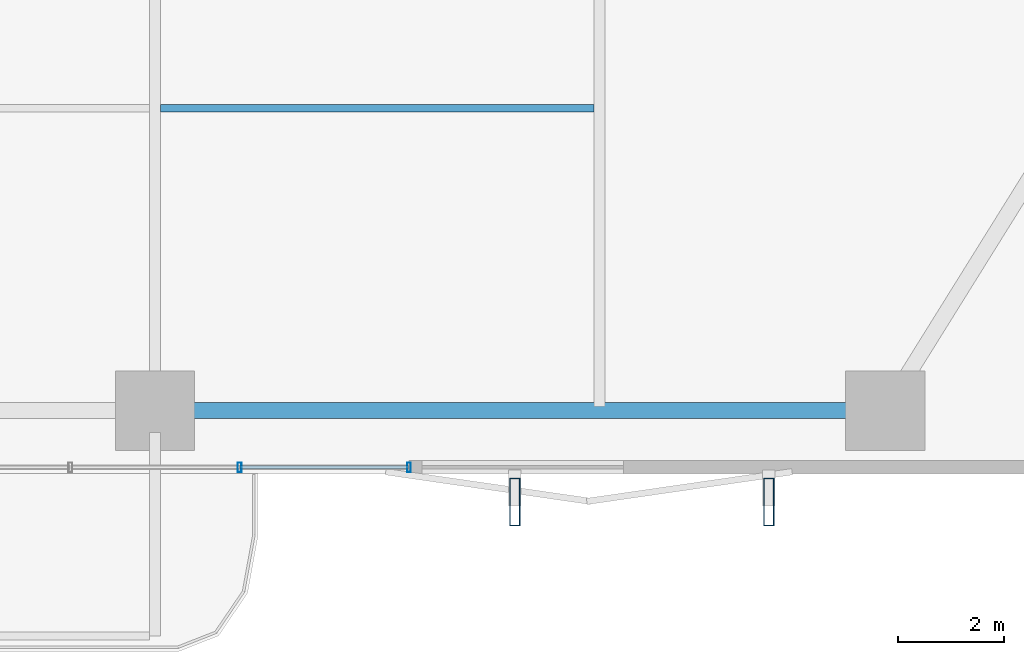
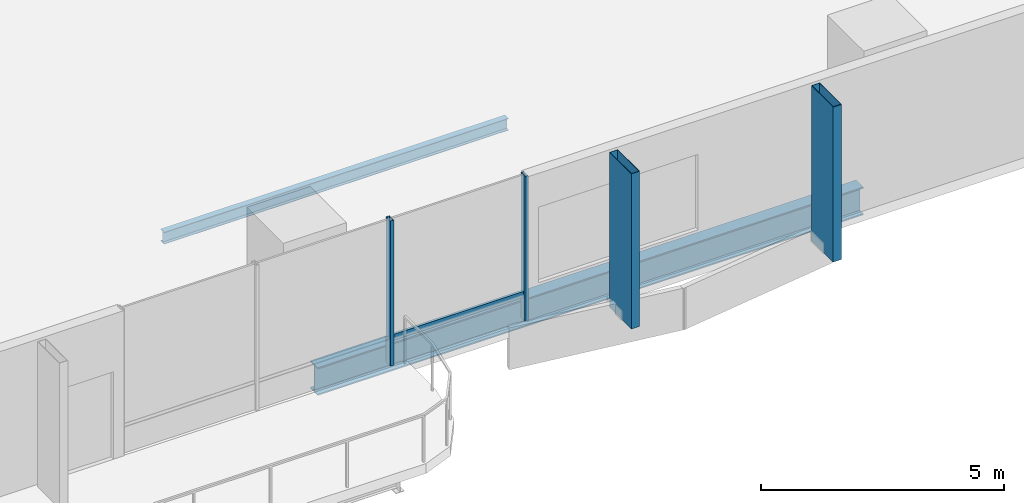
# One storey, part 6 of 23: 5 members, 2 beams, 1 element without a shape of its own.
"""IFC4 building model written with IfcOpenShell, lengths in metres."""

from ifc_helpers import new_model, si_unit, direction, frame, origin, origin_2d, place, context, subcontext, project, spatial, hollow_rectangle, i_section, extrude, material, layer, layer_set, material_profile, profile_set, type_object, element, aggregate, save


model = new_model("IFC4")

# Units and contexts
model_context = context("Model", 3, precision=1e-05, world=origin(), true_north=direction((0.0, 1.0)))
body_context = subcontext(model_context, "Body", "Model", "MODEL_VIEW")
ifc_project = project(units=[si_unit("LENGTHUNIT", "METRE"), si_unit("AREAUNIT", "SQUARE_METRE"), si_unit("VOLUMEUNIT", "CUBIC_METRE"), si_unit("PLANEANGLEUNIT", "RADIAN"), si_unit("MASSUNIT", "GRAM", prefix="KILO")], contexts=[model_context])

# Site, building, storey
site_placement = place(None, origin())
site = spatial("IfcSite", under=ifc_project, at=site_placement, CompositionType="ELEMENT")
building_placement = place(site_placement, origin())
building = spatial("IfcBuilding", under=site, at=building_placement, Name="Belovzor Exchange Tower", CompositionType="ELEMENT")
storey_placement = place(building_placement, frame((0.0, 0.0, 100.199951171875)))
storey = spatial("IfcBuildingStorey", under=building, at=storey_placement, Name="L24", CompositionType="ELEMENT", Elevation=100.199951171875)

# Beam
ifc_material_1 = material(Name="Steel S355", Category="steel")
ifc_material_profile_1 = material_profile(ifc_material_1, i_section(OverallWidth=0.14990234375, OverallDepth=0.300048828125, WebThickness=0.007080078125, FlangeThickness=0.0107421875, at=origin_2d()))
ifc_profile_set_1 = profile_set([ifc_material_profile_1], Name="Steel S355")
beam_type_1 = type_object("IfcBeamType", Name="Secondary Trim Floor Joist IPE 300", PredefinedType="BEAM", material=ifc_profile_set_1)
beam_1_placement = place(storey_placement, frame((28.905029296875, 7.81494140625, -0.39990234375), z_axis=(1.0, 0.0, 0.0), x_axis=(0.0, 1.0, 0.0)))
element("IfcBeam", 1, at=beam_1_placement, inside=storey, type_object=beam_type_1, Name="FJ-300 Secondary Trim Floor Joist IPE 300", PredefinedType="BEAM", context=body_context, shape_type="SweptSolid", body=[
    extrude(i_section(OverallWidth=0.14990234375, OverallDepth=0.300048828125, WebThickness=0.007080078125, FlangeThickness=0.0107421875, at=origin_2d()), origin(), (0.0, 0.0, 1.0), 8.18994140625),
])

# Members
ifc_material_2 = material(Name="Extruded Architectural Terracotta on Steel S355 Carrier", Category="masonry")
ifc_material_profile_2 = material_profile(ifc_material_2, hollow_rectangle(XDim=0.199951171875, YDim=0.89990234375, WallThickness=0.011962890625, at=origin_2d()))
ifc_profile_set_2 = profile_set([ifc_material_profile_2], Name="Extruded Architectural Terracotta on Steel S355 Carrier")
member_type_1 = type_object("IfcMemberType", Name="Sweeping Terracotta Baguette Fin Assembly 1250", PredefinedType="USERDEFINED", material=ifc_profile_set_2)
for number, where, z_axis, x_axis, name in (
    (2, (35.60009765625, 0.375, -0.25), (0.0, 0.0, 1.0), (1.0, 0.0, 0.0), "FIN-TC125 Terracotta Facade Fin L24 S3"),
    (3, (40.39990234375, 0.375, -0.25), (0.0, 0.0, 1.0), (1.0, 0.0, 0.0), "FIN-TC125 Terracotta Facade Fin L24 S4"),
):
    element("IfcMember", number, at=place(storey_placement, frame(where, z_axis=z_axis, x_axis=x_axis)), inside=storey, type_object=member_type_1, Name=name, ObjectType="FIN", PredefinedType="USERDEFINED", context=body_context, shape_type="SweptSolid", body=[
        extrude(hollow_rectangle(XDim=0.199951171875, YDim=0.89990234375, WallThickness=0.011962890625, at=origin_2d()), origin(), (0.0, 0.0, 1.0), 3.900146484375),
    ])

# Curtain wall, members
ifc_material_3 = material(Name="Anodised Aluminium Framing", Category="aluminium")
ifc_layer = layer(ifc_material_3, 0.179931640625)
ifc_layer_set = layer_set([ifc_layer], Name="Anodised Aluminium Framing")
curtain_wall_type = type_object("IfcCurtainWallType", Name="Recessed Loggia Low-Iron Triple-Glazed Curtain Wall", PredefinedType="NOTDEFINED", material=ifc_layer_set)
curtain_wall_placement = place(storey_placement, origin())
curtain_wall = element("IfcCurtainWall", 4, at=curtain_wall_placement, inside=storey, type_object=curtain_wall_type, Name="CW3 Recessed Loggia Low-Iron Triple-Glazed Curtain Wall L24", PredefinedType="NOTDEFINED")
ifc_material_4 = material(Name="Steel S355", Category="steel")
ifc_material_profile_3 = material_profile(ifc_material_4, hollow_rectangle(XDim=0.074951171875, YDim=0.179931640625, WallThickness=0.0048828125, at=origin_2d()))
ifc_profile_set_3 = profile_set([ifc_material_profile_3], Name="Steel S355")
member_type_2 = type_object("IfcMemberType", Name="Thermally Broken Curtain Wall Mullion 180x75", PredefinedType="MULLION", material=ifc_profile_set_3)
member_1_placement = place(storey_placement, frame((33.60009765625, 1.030029296875, 0.0), z_axis=(0.0, 0.0, 1.0), x_axis=(-1.0, 0.0, 0.0)))
member_1 = element("IfcMember", 5, at=member_1_placement, type_object=member_type_2, Name="CW-M180 Curtain Wall Mullion 1", PredefinedType="MULLION", context=body_context, shape_type="SweptSolid", body=[
    extrude(hollow_rectangle(XDim=0.074951171875, YDim=0.179931640625, WallThickness=0.0048828125, at=origin_2d()), origin(), (0.0, 0.0, 1.0), 3.650146484375),
])
member_2_placement = place(storey_placement, frame((30.39990234375, 1.030029296875, 0.0), z_axis=(0.0, 0.0, 1.0), x_axis=(-1.0, 0.0, 0.0)))
member_2 = element("IfcMember", 6, at=member_2_placement, type_object=member_type_2, Name="CW-M180 Curtain Wall Mullion 2", PredefinedType="MULLION", context=body_context, shape_type="SweptSolid", body=[
    extrude(hollow_rectangle(XDim=0.074951171875, YDim=0.179931640625, WallThickness=0.0048828125, at=origin_2d()), origin(), (0.0, 0.0, 1.0), 3.650146484375),
])
ifc_material_5 = material(Name="Steel S355", Category="steel")
ifc_material_profile_4 = material_profile(ifc_material_5, hollow_rectangle(XDim=0.06005859375, YDim=0.14990234375, WallThickness=0.00390625, at=origin_2d()))
ifc_profile_set_4 = profile_set([ifc_material_profile_4], Name="Steel S355")
member_type_3 = type_object("IfcMemberType", Name="Thermally Broken Curtain Wall Transom 150x60", PredefinedType="USERDEFINED", material=ifc_profile_set_4)
member_3_placement = place(storey_placement, frame((33.592041015625, 1.030029296875, 0.650146484375), z_axis=(-1.0, 0.0, 0.0), x_axis=(0.0, -1.0, 0.0)))
member_3 = element("IfcMember", 7, at=member_3_placement, type_object=member_type_3, Name="CW-T150 Curtain Wall Transom 1", ObjectType="TRANSOM", PredefinedType="USERDEFINED", context=body_context, shape_type="SweptSolid", body=[
    extrude(hollow_rectangle(XDim=0.06005859375, YDim=0.14990234375, WallThickness=0.00390625, at=origin_2d()), origin(), (0.0, 0.0, 1.0), 3.18408203125),
])
aggregate(curtain_wall, [member_1, member_2, member_3])

# Beam
ifc_material_6 = material(Name="Steel S355", Category="steel")
ifc_material_profile_5 = material_profile(ifc_material_6, i_section(OverallWidth=0.300048828125, OverallDepth=0.699951171875, WebThickness=0.01708984375, FlangeThickness=0.031982421875, at=origin_2d()))
ifc_profile_set_5 = profile_set([ifc_material_profile_5], Name="Steel S355")
beam_type_2 = type_object("IfcBeamType", Name="Zone 1 Primary Perimeter Girder HEB 700", PredefinedType="BEAM", material=ifc_profile_set_5)
beam_2_placement = place(storey_placement, frame((29.212890625, 2.10009765625, -0.599853515625), z_axis=(1.0, 0.0, 0.0), x_axis=(0.0, 1.0, 0.0)))
element("IfcBeam", 8, at=beam_2_placement, inside=storey, type_object=beam_type_2, Name="FG-Z1 Zone 1 Primary Perimeter Girder HEB 700", PredefinedType="BEAM", context=body_context, shape_type="SweptSolid", body=[
    extrude(i_section(OverallWidth=0.300048828125, OverallDepth=0.699951171875, WebThickness=0.01708984375, FlangeThickness=0.031982421875, at=origin_2d()), origin(), (0.0, 0.0, 1.0), 12.97509765625),
])

save(model, "model.ifc")
